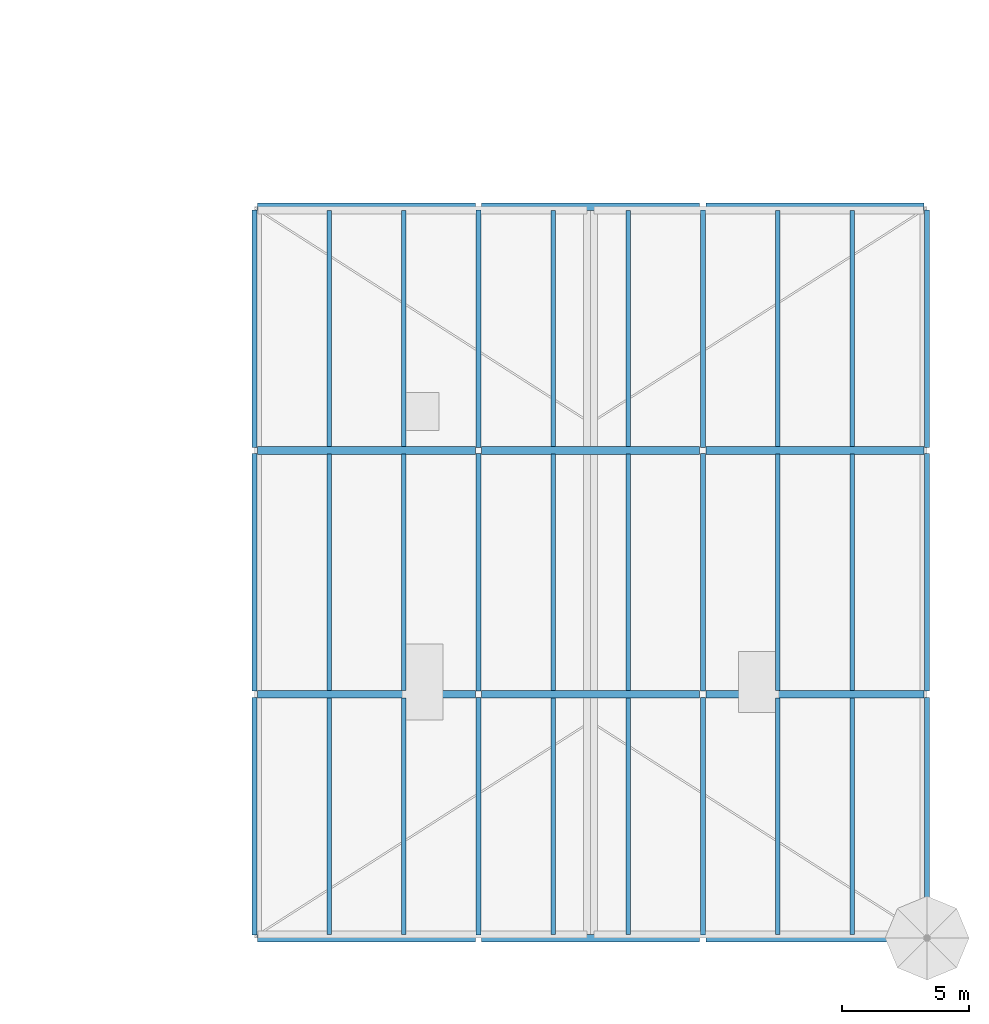
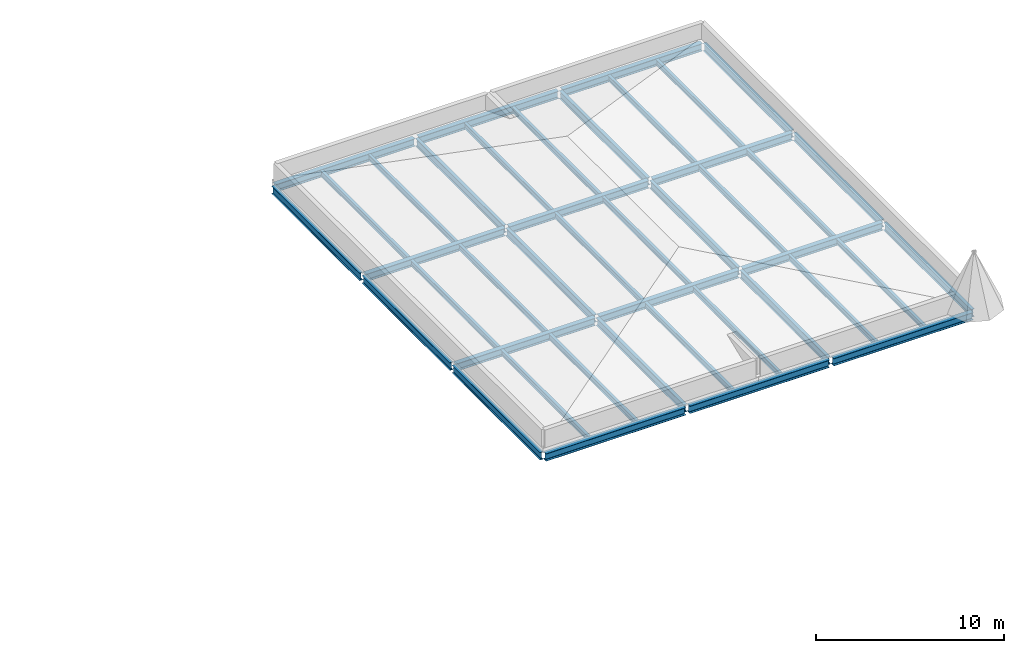
# One storey, part 9 of 16: 42 beams.
"""IFC4 building model written with IfcOpenShell, lengths in metres."""

import ifcopenshell
import ifcopenshell.guid

model = None  # the IFC model being written
_history = None  # IfcOwnerHistory: only IFC2X3 demands one
_inside = {}  # id of a spatial element -> (the spatial element, [elements in it])
_under = {}  # id of a project, library or spatial element -> (it, [spatial elements below it])
_declared = {}  # id of a project -> (the project, [libraries it declares])
_typed = {}  # id of a type object -> (the type object, [elements of that type])
_made_of = {}  # id of a material, layer set ... -> (it, [elements and type objects made of it])


def new_model(schema):
    """Start an empty IFC model of exactly this schema.

    Asked for "IFC4X3", IfcOpenShell would pick the latest addendum, in which some entities
    have other attributes; the version numbers below select the first issue.
    IFC2X3 requires an IfcOwnerHistory on every rooted entity: one is made here for all.
    """
    global model, _history
    if schema == "IFC4X3":
        model = ifcopenshell.file(schema_version=(4, 3, 0, 0))
    else:
        model = ifcopenshell.file(schema=schema)
    _inside.clear()
    _under.clear()
    _declared.clear()
    _typed.clear()
    _made_of.clear()
    _history = None
    if model.schema == "IFC2X3":
        org = make("IfcOrganization", Name="unknown")
        user = make(
            "IfcPersonAndOrganization",
            ThePerson=make("IfcPerson", FamilyName="unknown"),
            TheOrganization=org,
        )
        app = make(
            "IfcApplication",
            ApplicationDeveloper=org,
            Version="unknown",
            ApplicationFullName="unknown",
            ApplicationIdentifier="unknown",
        )
        _history = make(
            "IfcOwnerHistory",
            OwningUser=user,
            OwningApplication=app,
            ChangeAction="ADDED",
            CreationDate=0,
        )
    return model


def make(cls, **values):
    """One entity of the class cls with the attributes given. An attribute that is None is left unset."""
    return model.create_entity(
        cls, **{name: value for name, value in values.items() if value is not None}
    )


def rooted(cls, **values):
    """An entity with a GlobalId (a new one), such as an element, a storey or a relation."""
    return make(cls, GlobalId=ifcopenshell.guid.new(), OwnerHistory=_history, **values)


def si_unit(unit_type, name, prefix=None):
    """IfcSIUnit, for example si_unit("LENGTHUNIT", "METRE", prefix="MILLI")."""
    return make("IfcSIUnit", UnitType=unit_type, Prefix=prefix, Name=name)


def assignment(units):
    """IfcUnitAssignment: the units of a project."""
    return None if units is None else make("IfcUnitAssignment", Units=units)


def point(xyz):
    """IfcCartesianPoint."""
    return None if xyz is None else make("IfcCartesianPoint", Coordinates=xyz)


def direction(xyz):
    """IfcDirection."""
    return None if xyz is None else make("IfcDirection", DirectionRatios=xyz)


def frame(location, z_axis=None, x_axis=None):
    """IfcAxis2Placement3D, a coordinate frame: its origin and axes. An axis left out is left unset."""
    return make(
        "IfcAxis2Placement3D",
        Location=point(location),
        Axis=direction(z_axis),
        RefDirection=direction(x_axis),
    )


def frame_2d(location, x_axis=None):
    """IfcAxis2Placement2D, a coordinate frame in the plane: its origin and x axis."""
    return make(
        "IfcAxis2Placement2D", Location=point(location), RefDirection=direction(x_axis)
    )


def origin():
    """The frame at (0, 0, 0) with its axes left unset."""
    return frame((0.0, 0.0, 0.0))


def origin_2d():
    """The frame at (0, 0) in the plane with its x axis left unset."""
    return frame_2d((0.0, 0.0))


def place(relative_to, where):
    """IfcLocalPlacement: puts the frame where relative to a parent placement (None: the world)."""
    return make(
        "IfcLocalPlacement", PlacementRelTo=relative_to, RelativePlacement=where
    )


def context(
    kind, dimensions, precision=None, world=None, true_north=None, identifier=None
):
    """IfcGeometricRepresentationContext, for example the 3D "Model" context."""
    return make(
        "IfcGeometricRepresentationContext",
        ContextIdentifier=identifier,
        ContextType=kind,
        CoordinateSpaceDimension=dimensions,
        Precision=precision,
        WorldCoordinateSystem=world,
        TrueNorth=true_north,
    )


def subcontext(parent, identifier, kind, view, scale=None):
    """IfcGeometricRepresentationSubContext, for example "Body" below "Model"."""
    return make(
        "IfcGeometricRepresentationSubContext",
        ContextIdentifier=identifier,
        ContextType=kind,
        ParentContext=parent,
        TargetScale=scale,
        TargetView=view,
    )


def project(units=None, contexts=None):
    """IfcProject with its units and contexts."""
    return rooted(
        "IfcProject",
        Name="project",
        RepresentationContexts=contexts,
        UnitsInContext=assignment(units),
    )


def spatial(cls, under=None, at=None, **own):
    """A site, building, storey or space (cls), placed at a placement, below another one or the project."""
    s = rooted(cls, ObjectPlacement=at, **own)
    if under is not None:
        _under.setdefault(under.id(), (under, []))[1].append(s)
    return s


def profile(cls, at=None, kind="AREA", **sizes):
    """A parametric profile (cls). Its sizes go by their IFC names, for example OverallWidth=200.0."""
    return make(cls, ProfileType=kind, Position=at, **sizes)


def i_section(**sizes):
    """IfcIShapeProfileDef."""
    return profile("IfcIShapeProfileDef", **sizes)


def extrude(swept, where, along, depth):
    """IfcExtrudedAreaSolid: the profile swept, set in the frame where, extruded along a direction by depth."""
    return make(
        "IfcExtrudedAreaSolid",
        SweptArea=swept,
        Position=where,
        ExtrudedDirection=direction(along),
        Depth=depth,
    )


def shape(context_of_items, identifier, shape_type, items):
    """IfcShapeRepresentation: the items that make up one representation, for example the "Body"."""
    return make(
        "IfcShapeRepresentation",
        ContextOfItems=context_of_items,
        RepresentationIdentifier=identifier,
        RepresentationType=shape_type,
        Items=items,
    )


def material(Name=None, Category=None):
    """IfcMaterial."""
    return make("IfcMaterial", Name=Name, Category=Category)


def material_profile(
    of_material, cross_section, Name=None, Category=None, Priority=None
):
    """IfcMaterialProfile: a cross section and its material."""
    return make(
        "IfcMaterialProfile",
        Name=Name,
        Material=of_material,
        Profile=cross_section,
        Priority=Priority,
        Category=Category,
    )


def profile_set(profiles, Name=None, composite=None):
    """IfcMaterialProfileSet."""
    return make(
        "IfcMaterialProfileSet",
        Name=Name,
        MaterialProfiles=profiles,
        CompositeProfile=composite,
    )


def made_of(thing, what):
    """Note that an element or type object is made of a material, layer set ...; save() writes the relation."""
    if what is not None:
        _made_of.setdefault(what.id(), (what, []))[1].append(thing)
    return thing


def type_object(cls, material=None, **own):
    """A type object (cls), such as IfcWallType, which elements share."""
    return made_of(rooted(cls, **own), material)


def element(
    cls,
    number,
    at=None,
    inside=None,
    cuts=None,
    type_object=None,
    material=None,
    context=None,
    identifier="Body",
    shape_type=None,
    held_by="IfcProductDefinitionShape",
    body=None,
    shapes=None,
    **own,
):
    """One element of the class cls, such as IfcWall. Its Tag is "e" and its number.

    at: its placement. inside: the storey or other place that contains it. cuts: it is an
    opening in that element (IfcRelVoidsElement). A single representation is given by context,
    identifier, shape_type and body (its items); several are given by shapes. held_by: the class
    of the entity that holds the representations. save() writes the other relations.
    """
    e = rooted(cls, Tag="e%d" % number, ObjectPlacement=at, **own)
    if body is not None:
        shapes = [shape(context, identifier, shape_type, body)]
    if shapes is not None:
        e.Representation = make(held_by, Representations=shapes)
    if inside is not None:
        _inside.setdefault(inside.id(), (inside, []))[1].append(e)
    if cuts is not None:
        rooted(
            "IfcRelVoidsElement", RelatingBuildingElement=cuts, RelatedOpeningElement=e
        )
    if type_object is not None:
        _typed.setdefault(type_object.id(), (type_object, []))[1].append(e)
    return made_of(e, material)


def aggregate(whole, parts):
    """IfcRelAggregates: a whole, such as a stair, and the parts it consists of."""
    return rooted("IfcRelAggregates", RelatingObject=whole, RelatedObjects=parts)


def save(model, path):
    """Write the relations noted so far, then the file.

    IfcRelAggregates (storeys below a building ...), IfcRelContainedInSpatialStructure (elements
    in a storey), IfcRelDefinesByType, IfcRelAssociatesMaterial and IfcRelDeclares: one each for
    every whole, place, type object, material and project.
    """
    for whole, parts in _under.values():
        aggregate(whole, parts)
    for where, things in _inside.values():
        rooted(
            "IfcRelContainedInSpatialStructure",
            RelatedElements=things,
            RelatingStructure=where,
        )
    for kind, things in _typed.values():
        rooted("IfcRelDefinesByType", RelatedObjects=things, RelatingType=kind)
    for what, things in _made_of.values():
        rooted("IfcRelAssociatesMaterial", RelatedObjects=things, RelatingMaterial=what)
    for by, libraries in _declared.values():
        rooted("IfcRelDeclares", RelatingContext=by, RelatedDefinitions=libraries)
    model.write(path)


model = new_model("IFC4")

# Units and contexts
model_context = context("Model", 3, precision=1e-05, world=origin(), true_north=direction((0.0, 1.0)))
body_context = subcontext(model_context, "Body", "Model", "MODEL_VIEW")
ifc_project = project(units=[si_unit("LENGTHUNIT", "METRE"), si_unit("AREAUNIT", "SQUARE_METRE"), si_unit("VOLUMEUNIT", "CUBIC_METRE"), si_unit("PLANEANGLEUNIT", "RADIAN"), si_unit("MASSUNIT", "GRAM", prefix="KILO")], contexts=[model_context])

# Site, building, storey
site_placement = place(None, origin())
site = spatial("IfcSite", under=ifc_project, at=site_placement, CompositionType="ELEMENT")
building_placement = place(site_placement, origin())
building = spatial("IfcBuilding", under=site, at=building_placement, Name="Yeouljin Market Hall", CompositionType="ELEMENT")
storey_placement = place(building_placement, frame((0.0, 0.0, 19.199951171875)))
storey = spatial("IfcBuildingStorey", under=building, at=storey_placement, Name="L04", CompositionType="ELEMENT", Elevation=19.199951171875)

# Beams
ifc_material_1 = material(Name="Steel SM355", Category="steel")
ifc_material_profile_1 = material_profile(ifc_material_1, i_section(OverallWidth=0.199951171875, OverallDepth=0.5, WebThickness=0.010009765625, FlangeThickness=0.01611328125, FilletRadius=0.02001953125, at=origin_2d()), Name="H-500x200x10x16")
ifc_profile_set_1 = profile_set([ifc_material_profile_1], Name="Steel SM355")
beam_type_1 = type_object("IfcBeamType", Name="Beam_H-500x200x10x16", PredefinedType="BEAM", material=ifc_profile_set_1)
beam_1_placement = place(storey_placement, frame((149.909912109375, 0.125, -0.530029296875), z_axis=(0.0, 1.0, 0.0), x_axis=(-1.0, 0.0, 0.0)))
element("IfcBeam", 1, at=beam_1_placement, inside=storey, type_object=beam_type_1, Name="Primary beam BM-L04-Y042", PredefinedType="BEAM", context=body_context, shape_type="SweptSolid", body=[
    extrude(i_section(OverallWidth=0.199951171875, OverallDepth=0.5, WebThickness=0.010009765625, FlangeThickness=0.01611328125, FilletRadius=0.02001953125, at=origin_2d()), origin(), (0.0, 0.0, 1.0), 9.35009765625),
])
beam_2_placement = place(storey_placement, frame((149.909912109375, 9.72509765625, -0.530029296875), z_axis=(0.0, 1.0, 0.0), x_axis=(-1.0, 0.0, 0.0)))
element("IfcBeam", 2, at=beam_2_placement, inside=storey, type_object=beam_type_1, Name="Primary beam BM-L04-Y043", PredefinedType="BEAM", context=body_context, shape_type="SweptSolid", body=[
    extrude(i_section(OverallWidth=0.199951171875, OverallDepth=0.5, WebThickness=0.010009765625, FlangeThickness=0.01611328125, FilletRadius=0.02001953125, at=origin_2d()), origin(), (0.0, 0.0, 1.0), 9.349853515625),
])
for number, where, z_axis, x_axis, name in (
    (3, (149.909912109375, 19.324951171875, -0.530029296875), (0.0, 1.0, 0.0), (-1.0, 0.0, 0.0), "Primary beam BM-L04-Y044"),
    (4, (158.739990234375, 0.125, -0.530029296875), (0.0, 1.0, 0.0), (-1.0, 0.0, 0.0), "Primary beam BM-L04-Y045"),
):
    element("IfcBeam", number, at=place(storey_placement, frame(where, z_axis=z_axis, x_axis=x_axis)), inside=storey, type_object=beam_type_1, Name=name, PredefinedType="BEAM", context=body_context, shape_type="SweptSolid", body=[
        extrude(i_section(OverallWidth=0.199951171875, OverallDepth=0.5, WebThickness=0.010009765625, FlangeThickness=0.01611328125, FilletRadius=0.02001953125, at=origin_2d()), origin(), (0.0, 0.0, 1.0), 9.35009765625),
    ])
beam_3_placement = place(storey_placement, frame((158.739990234375, 9.72509765625, -0.530029296875), z_axis=(0.0, 1.0, 0.0), x_axis=(-1.0, 0.0, 0.0)))
element("IfcBeam", 5, at=beam_3_placement, inside=storey, type_object=beam_type_1, Name="Primary beam BM-L04-Y046", PredefinedType="BEAM", context=body_context, shape_type="SweptSolid", body=[
    extrude(i_section(OverallWidth=0.199951171875, OverallDepth=0.5, WebThickness=0.010009765625, FlangeThickness=0.01611328125, FilletRadius=0.02001953125, at=origin_2d()), origin(), (0.0, 0.0, 1.0), 9.349853515625),
])
for number, where, z_axis, x_axis, name in (
    (6, (158.739990234375, 19.324951171875, -0.530029296875), (0.0, 1.0, 0.0), (-1.0, 0.0, 0.0), "Primary beam BM-L04-Y047"),
    (7, (167.570068359375, 0.125, -0.530029296875), (0.0, 1.0, 0.0), (-1.0, 0.0, 0.0), "Primary beam BM-L04-Y048"),
):
    element("IfcBeam", number, at=place(storey_placement, frame(where, z_axis=z_axis, x_axis=x_axis)), inside=storey, type_object=beam_type_1, Name=name, PredefinedType="BEAM", context=body_context, shape_type="SweptSolid", body=[
        extrude(i_section(OverallWidth=0.199951171875, OverallDepth=0.5, WebThickness=0.010009765625, FlangeThickness=0.01611328125, FilletRadius=0.02001953125, at=origin_2d()), origin(), (0.0, 0.0, 1.0), 9.35009765625),
    ])
beam_4_placement = place(storey_placement, frame((167.570068359375, 9.72509765625, -0.530029296875), z_axis=(0.0, 1.0, 0.0), x_axis=(-1.0, 0.0, 0.0)))
element("IfcBeam", 8, at=beam_4_placement, inside=storey, type_object=beam_type_1, Name="Primary beam BM-L04-Y049", PredefinedType="BEAM", context=body_context, shape_type="SweptSolid", body=[
    extrude(i_section(OverallWidth=0.199951171875, OverallDepth=0.5, WebThickness=0.010009765625, FlangeThickness=0.01611328125, FilletRadius=0.02001953125, at=origin_2d()), origin(), (0.0, 0.0, 1.0), 9.349853515625),
])
for number, where, z_axis, x_axis, name in (
    (9, (167.570068359375, 19.324951171875, -0.530029296875), (0.0, 1.0, 0.0), (-1.0, 0.0, 0.0), "Primary beam BM-L04-Y050"),
    (10, (176.39990234375, 0.125, -0.530029296875), (0.0, 1.0, 0.0), (-1.0, 0.0, 0.0), "Primary beam BM-L04-Y051"),
):
    element("IfcBeam", number, at=place(storey_placement, frame(where, z_axis=z_axis, x_axis=x_axis)), inside=storey, type_object=beam_type_1, Name=name, PredefinedType="BEAM", context=body_context, shape_type="SweptSolid", body=[
        extrude(i_section(OverallWidth=0.199951171875, OverallDepth=0.5, WebThickness=0.010009765625, FlangeThickness=0.01611328125, FilletRadius=0.02001953125, at=origin_2d()), origin(), (0.0, 0.0, 1.0), 9.35009765625),
    ])
beam_5_placement = place(storey_placement, frame((176.39990234375, 9.72509765625, -0.530029296875), z_axis=(0.0, 1.0, 0.0), x_axis=(-1.0, 0.0, 0.0)))
element("IfcBeam", 11, at=beam_5_placement, inside=storey, type_object=beam_type_1, Name="Primary beam BM-L04-Y052", PredefinedType="BEAM", context=body_context, shape_type="SweptSolid", body=[
    extrude(i_section(OverallWidth=0.199951171875, OverallDepth=0.5, WebThickness=0.010009765625, FlangeThickness=0.01611328125, FilletRadius=0.02001953125, at=origin_2d()), origin(), (0.0, 0.0, 1.0), 9.349853515625),
])
beam_6_placement = place(storey_placement, frame((176.39990234375, 19.324951171875, -0.530029296875), z_axis=(0.0, 1.0, 0.0), x_axis=(-1.0, 0.0, 0.0)))
element("IfcBeam", 12, at=beam_6_placement, inside=storey, type_object=beam_type_1, Name="Primary beam BM-L04-Y053", PredefinedType="BEAM", context=body_context, shape_type="SweptSolid", body=[
    extrude(i_section(OverallWidth=0.199951171875, OverallDepth=0.5, WebThickness=0.010009765625, FlangeThickness=0.01611328125, FilletRadius=0.02001953125, at=origin_2d()), origin(), (0.0, 0.0, 1.0), 9.35009765625),
])
ifc_material_2 = material(Name="Steel SM355", Category="steel")
ifc_material_profile_2 = material_profile(ifc_material_2, i_section(OverallWidth=0.300048828125, OverallDepth=0.488037109375, WebThickness=0.010986328125, FlangeThickness=0.01806640625, FilletRadius=0.02197265625, at=origin_2d()), Name="H-488x300x11x18")
ifc_profile_set_2 = profile_set([ifc_material_profile_2], Name="Steel SM355")
beam_type_2 = type_object("IfcBeamType", Name="Girder_H-488x300x11x18", PredefinedType="USERDEFINED", material=ifc_profile_set_2)
for number, where, z_axis, x_axis, name in (
    (13, (150.034912109375, 0.0, -0.52392578125), (1.0, 0.0, 0.0), (0.0, 1.0, 0.0), "Primary girder GRD-L04-X004"),
    (14, (158.864990234375, 0.0, -0.52392578125), (1.0, 0.0, 0.0), (0.0, 1.0, 0.0), "Primary girder GRD-L04-X005"),
):
    element("IfcBeam", number, at=place(storey_placement, frame(where, z_axis=z_axis, x_axis=x_axis)), inside=storey, type_object=beam_type_2, Name=name, ObjectType="GIRDER", PredefinedType="USERDEFINED", context=body_context, shape_type="SweptSolid", body=[
        extrude(i_section(OverallWidth=0.300048828125, OverallDepth=0.488037109375, WebThickness=0.010986328125, FlangeThickness=0.01806640625, FilletRadius=0.02197265625, at=origin_2d()), origin(), (0.0, 0.0, 1.0), 8.580078125),
    ])
beam_7_placement = place(storey_placement, frame((167.695068359375, 0.0, -0.52392578125), z_axis=(1.0, 0.0, 0.0), x_axis=(0.0, 1.0, 0.0)))
element("IfcBeam", 15, at=beam_7_placement, inside=storey, type_object=beam_type_2, Name="Primary girder GRD-L04-X006", ObjectType="GIRDER", PredefinedType="USERDEFINED", context=body_context, shape_type="SweptSolid", body=[
    extrude(i_section(OverallWidth=0.300048828125, OverallDepth=0.488037109375, WebThickness=0.010986328125, FlangeThickness=0.01806640625, FilletRadius=0.02197265625, at=origin_2d()), origin(), (0.0, 0.0, 1.0), 8.579833984375),
])
for number, where, z_axis, x_axis, name in (
    (16, (150.034912109375, 9.60009765625, -0.52392578125), (1.0, 0.0, 0.0), (0.0, 1.0, 0.0), "Primary girder GRD-L04-X010"),
    (17, (158.864990234375, 9.60009765625, -0.52392578125), (1.0, 0.0, 0.0), (0.0, 1.0, 0.0), "Primary girder GRD-L04-X011"),
):
    element("IfcBeam", number, at=place(storey_placement, frame(where, z_axis=z_axis, x_axis=x_axis)), inside=storey, type_object=beam_type_2, Name=name, ObjectType="GIRDER", PredefinedType="USERDEFINED", context=body_context, shape_type="SweptSolid", body=[
        extrude(i_section(OverallWidth=0.300048828125, OverallDepth=0.488037109375, WebThickness=0.010986328125, FlangeThickness=0.01806640625, FilletRadius=0.02197265625, at=origin_2d()), origin(), (0.0, 0.0, 1.0), 8.580078125),
    ])
beam_8_placement = place(storey_placement, frame((167.695068359375, 9.60009765625, -0.52392578125), z_axis=(1.0, 0.0, 0.0), x_axis=(0.0, 1.0, 0.0)))
element("IfcBeam", 18, at=beam_8_placement, inside=storey, type_object=beam_type_2, Name="Primary girder GRD-L04-X012", ObjectType="GIRDER", PredefinedType="USERDEFINED", context=body_context, shape_type="SweptSolid", body=[
    extrude(i_section(OverallWidth=0.300048828125, OverallDepth=0.488037109375, WebThickness=0.010986328125, FlangeThickness=0.01806640625, FilletRadius=0.02197265625, at=origin_2d()), origin(), (0.0, 0.0, 1.0), 8.579833984375),
])
for number, where, z_axis, x_axis, name in (
    (19, (150.034912109375, 19.199951171875, -0.52392578125), (1.0, 0.0, 0.0), (0.0, 1.0, 0.0), "Primary girder GRD-L04-X016"),
    (20, (158.864990234375, 19.199951171875, -0.52392578125), (1.0, 0.0, 0.0), (0.0, 1.0, 0.0), "Primary girder GRD-L04-X017"),
):
    element("IfcBeam", number, at=place(storey_placement, frame(where, z_axis=z_axis, x_axis=x_axis)), inside=storey, type_object=beam_type_2, Name=name, ObjectType="GIRDER", PredefinedType="USERDEFINED", context=body_context, shape_type="SweptSolid", body=[
        extrude(i_section(OverallWidth=0.300048828125, OverallDepth=0.488037109375, WebThickness=0.010986328125, FlangeThickness=0.01806640625, FilletRadius=0.02197265625, at=origin_2d()), origin(), (0.0, 0.0, 1.0), 8.580078125),
    ])
beam_9_placement = place(storey_placement, frame((167.695068359375, 19.199951171875, -0.52392578125), z_axis=(1.0, 0.0, 0.0), x_axis=(0.0, 1.0, 0.0)))
element("IfcBeam", 21, at=beam_9_placement, inside=storey, type_object=beam_type_2, Name="Primary girder GRD-L04-X018", ObjectType="GIRDER", PredefinedType="USERDEFINED", context=body_context, shape_type="SweptSolid", body=[
    extrude(i_section(OverallWidth=0.300048828125, OverallDepth=0.488037109375, WebThickness=0.010986328125, FlangeThickness=0.01806640625, FilletRadius=0.02197265625, at=origin_2d()), origin(), (0.0, 0.0, 1.0), 8.579833984375),
])
for number, where, z_axis, x_axis, name in (
    (22, (150.034912109375, 28.800048828125, -0.52392578125), (1.0, 0.0, 0.0), (0.0, 1.0, 0.0), "Primary girder GRD-L04-X022"),
    (23, (158.864990234375, 28.800048828125, -0.52392578125), (1.0, 0.0, 0.0), (0.0, 1.0, 0.0), "Primary girder GRD-L04-X023"),
):
    element("IfcBeam", number, at=place(storey_placement, frame(where, z_axis=z_axis, x_axis=x_axis)), inside=storey, type_object=beam_type_2, Name=name, ObjectType="GIRDER", PredefinedType="USERDEFINED", context=body_context, shape_type="SweptSolid", body=[
        extrude(i_section(OverallWidth=0.300048828125, OverallDepth=0.488037109375, WebThickness=0.010986328125, FlangeThickness=0.01806640625, FilletRadius=0.02197265625, at=origin_2d()), origin(), (0.0, 0.0, 1.0), 8.580078125),
    ])
beam_10_placement = place(storey_placement, frame((167.695068359375, 28.800048828125, -0.52392578125), z_axis=(1.0, 0.0, 0.0), x_axis=(0.0, 1.0, 0.0)))
element("IfcBeam", 24, at=beam_10_placement, inside=storey, type_object=beam_type_2, Name="Primary girder GRD-L04-X024", ObjectType="GIRDER", PredefinedType="USERDEFINED", context=body_context, shape_type="SweptSolid", body=[
    extrude(i_section(OverallWidth=0.300048828125, OverallDepth=0.488037109375, WebThickness=0.010986328125, FlangeThickness=0.01806640625, FilletRadius=0.02197265625, at=origin_2d()), origin(), (0.0, 0.0, 1.0), 8.579833984375),
])
ifc_material_3 = material(Name="Steel SM355", Category="steel")
ifc_material_profile_3 = material_profile(ifc_material_3, i_section(OverallWidth=0.175048828125, OverallDepth=0.35009765625, WebThickness=0.007080078125, FlangeThickness=0.010986328125, FilletRadius=0.013916015625, at=origin_2d()), Name="H-350x175x7x11")
ifc_profile_set_3 = profile_set([ifc_material_profile_3], Name="Steel SM355")
beam_type_3 = type_object("IfcBeamType", Name="Joist_H-350x175x7x11", PredefinedType="JOIST", material=ifc_profile_set_3)
for number, where, z_axis, x_axis, name in (
    (25, (152.853271484375, 0.14697265625, -0.454833984375), (0.0, 1.0, 0.0), (-1.0, 0.0, 0.0), "Secondary floor joist L04-020"),
    (26, (155.796630859375, 0.14697265625, -0.454833984375), (0.0, 1.0, 0.0), (-1.0, 0.0, 0.0), "Secondary floor joist L04-021"),
    (27, (152.853271484375, 9.7470703125, -0.454833984375), (0.0, 1.0, 0.0), (-1.0, 0.0, 0.0), "Secondary floor joist L04-022"),
    (28, (155.796630859375, 9.7470703125, -0.454833984375), (0.0, 1.0, 0.0), (-1.0, 0.0, 0.0), "Secondary floor joist L04-023"),
):
    element("IfcBeam", number, at=place(storey_placement, frame(where, z_axis=z_axis, x_axis=x_axis)), inside=storey, type_object=beam_type_3, Name=name, PredefinedType="JOIST", context=body_context, shape_type="SweptSolid", body=[
        extrude(i_section(OverallWidth=0.175048828125, OverallDepth=0.35009765625, WebThickness=0.007080078125, FlangeThickness=0.010986328125, FilletRadius=0.013916015625, at=origin_2d()), origin(), (0.0, 0.0, 1.0), 9.305908203125),
    ])
for number, where, z_axis, x_axis, name in (
    (29, (152.853271484375, 19.346923828125, -0.454833984375), (0.0, 1.0, 0.0), (-1.0, 0.0, 0.0), "Secondary floor joist L04-024"),
    (30, (155.796630859375, 19.346923828125, -0.454833984375), (0.0, 1.0, 0.0), (-1.0, 0.0, 0.0), "Secondary floor joist L04-025"),
):
    element("IfcBeam", number, at=place(storey_placement, frame(where, z_axis=z_axis, x_axis=x_axis)), inside=storey, type_object=beam_type_3, Name=name, PredefinedType="JOIST", context=body_context, shape_type="SweptSolid", body=[
        extrude(i_section(OverallWidth=0.175048828125, OverallDepth=0.35009765625, WebThickness=0.007080078125, FlangeThickness=0.010986328125, FilletRadius=0.013916015625, at=origin_2d()), origin(), (0.0, 0.0, 1.0), 9.30615234375),
    ])
for number, where, z_axis, x_axis, name in (
    (31, (161.683349609375, 0.14697265625, -0.454833984375), (0.0, 1.0, 0.0), (-1.0, 0.0, 0.0), "Secondary floor joist L04-026"),
    (32, (164.626708984375, 0.14697265625, -0.454833984375), (0.0, 1.0, 0.0), (-1.0, 0.0, 0.0), "Secondary floor joist L04-027"),
    (33, (161.683349609375, 9.7470703125, -0.454833984375), (0.0, 1.0, 0.0), (-1.0, 0.0, 0.0), "Secondary floor joist L04-028"),
    (34, (164.626708984375, 9.7470703125, -0.454833984375), (0.0, 1.0, 0.0), (-1.0, 0.0, 0.0), "Secondary floor joist L04-029"),
):
    element("IfcBeam", number, at=place(storey_placement, frame(where, z_axis=z_axis, x_axis=x_axis)), inside=storey, type_object=beam_type_3, Name=name, PredefinedType="JOIST", context=body_context, shape_type="SweptSolid", body=[
        extrude(i_section(OverallWidth=0.175048828125, OverallDepth=0.35009765625, WebThickness=0.007080078125, FlangeThickness=0.010986328125, FilletRadius=0.013916015625, at=origin_2d()), origin(), (0.0, 0.0, 1.0), 9.305908203125),
    ])
for number, where, z_axis, x_axis, name in (
    (35, (161.683349609375, 19.346923828125, -0.454833984375), (0.0, 1.0, 0.0), (-1.0, 0.0, 0.0), "Secondary floor joist L04-030"),
    (36, (164.626708984375, 19.346923828125, -0.454833984375), (0.0, 1.0, 0.0), (-1.0, 0.0, 0.0), "Secondary floor joist L04-031"),
):
    element("IfcBeam", number, at=place(storey_placement, frame(where, z_axis=z_axis, x_axis=x_axis)), inside=storey, type_object=beam_type_3, Name=name, PredefinedType="JOIST", context=body_context, shape_type="SweptSolid", body=[
        extrude(i_section(OverallWidth=0.175048828125, OverallDepth=0.35009765625, WebThickness=0.007080078125, FlangeThickness=0.010986328125, FilletRadius=0.013916015625, at=origin_2d()), origin(), (0.0, 0.0, 1.0), 9.30615234375),
    ])
for number, where, z_axis, x_axis, name in (
    (37, (170.51318359375, 0.14697265625, -0.454833984375), (0.0, 1.0, 0.0), (-1.0, 0.0, 0.0), "Secondary floor joist L04-032"),
    (38, (173.456787109375, 0.14697265625, -0.454833984375), (0.0, 1.0, 0.0), (-1.0, 0.0, 0.0), "Secondary floor joist L04-033"),
    (39, (170.51318359375, 9.7470703125, -0.454833984375), (0.0, 1.0, 0.0), (-1.0, 0.0, 0.0), "Secondary floor joist L04-034"),
    (40, (173.456787109375, 9.7470703125, -0.454833984375), (0.0, 1.0, 0.0), (-1.0, 0.0, 0.0), "Secondary floor joist L04-035"),
):
    element("IfcBeam", number, at=place(storey_placement, frame(where, z_axis=z_axis, x_axis=x_axis)), inside=storey, type_object=beam_type_3, Name=name, PredefinedType="JOIST", context=body_context, shape_type="SweptSolid", body=[
        extrude(i_section(OverallWidth=0.175048828125, OverallDepth=0.35009765625, WebThickness=0.007080078125, FlangeThickness=0.010986328125, FilletRadius=0.013916015625, at=origin_2d()), origin(), (0.0, 0.0, 1.0), 9.305908203125),
    ])
for number, where, z_axis, x_axis, name in (
    (41, (170.51318359375, 19.346923828125, -0.454833984375), (0.0, 1.0, 0.0), (-1.0, 0.0, 0.0), "Secondary floor joist L04-036"),
    (42, (173.456787109375, 19.346923828125, -0.454833984375), (0.0, 1.0, 0.0), (-1.0, 0.0, 0.0), "Secondary floor joist L04-037"),
):
    element("IfcBeam", number, at=place(storey_placement, frame(where, z_axis=z_axis, x_axis=x_axis)), inside=storey, type_object=beam_type_3, Name=name, PredefinedType="JOIST", context=body_context, shape_type="SweptSolid", body=[
        extrude(i_section(OverallWidth=0.175048828125, OverallDepth=0.35009765625, WebThickness=0.007080078125, FlangeThickness=0.010986328125, FilletRadius=0.013916015625, at=origin_2d()), origin(), (0.0, 0.0, 1.0), 9.30615234375),
    ])

save(model, "model.ifc")
